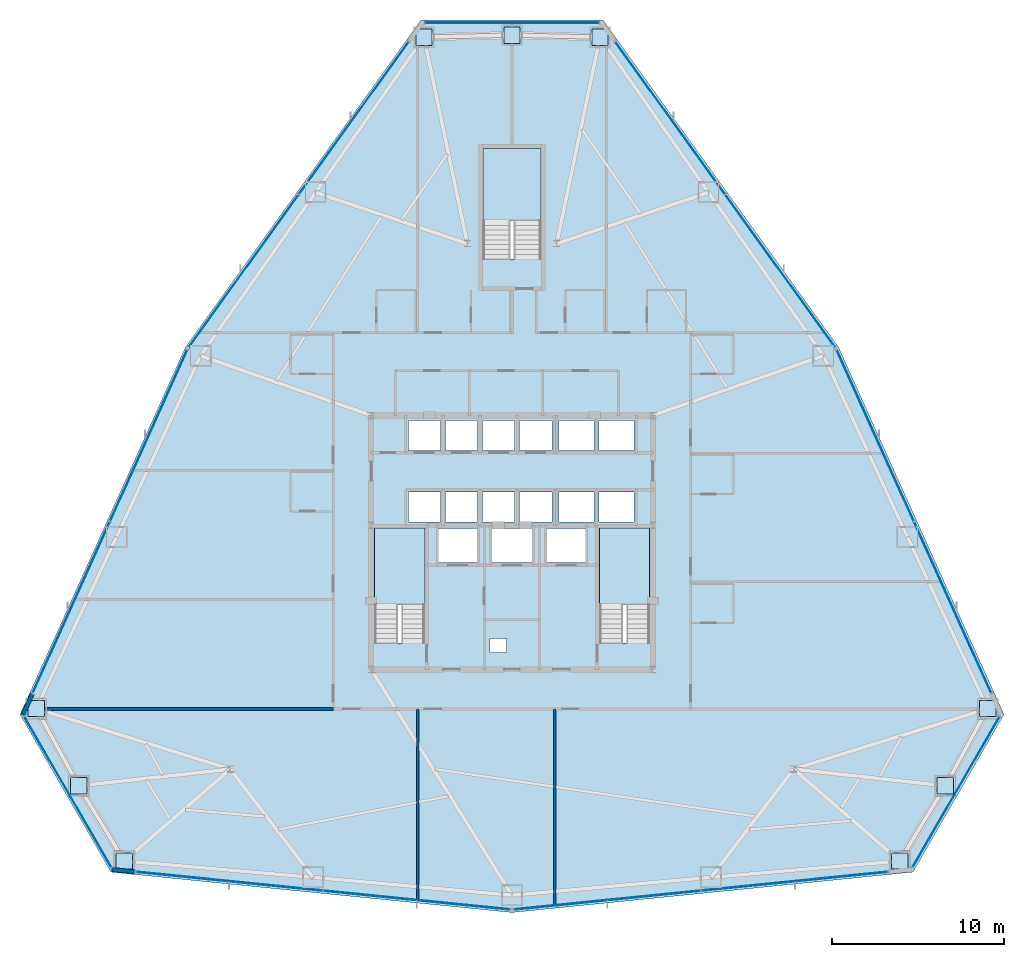
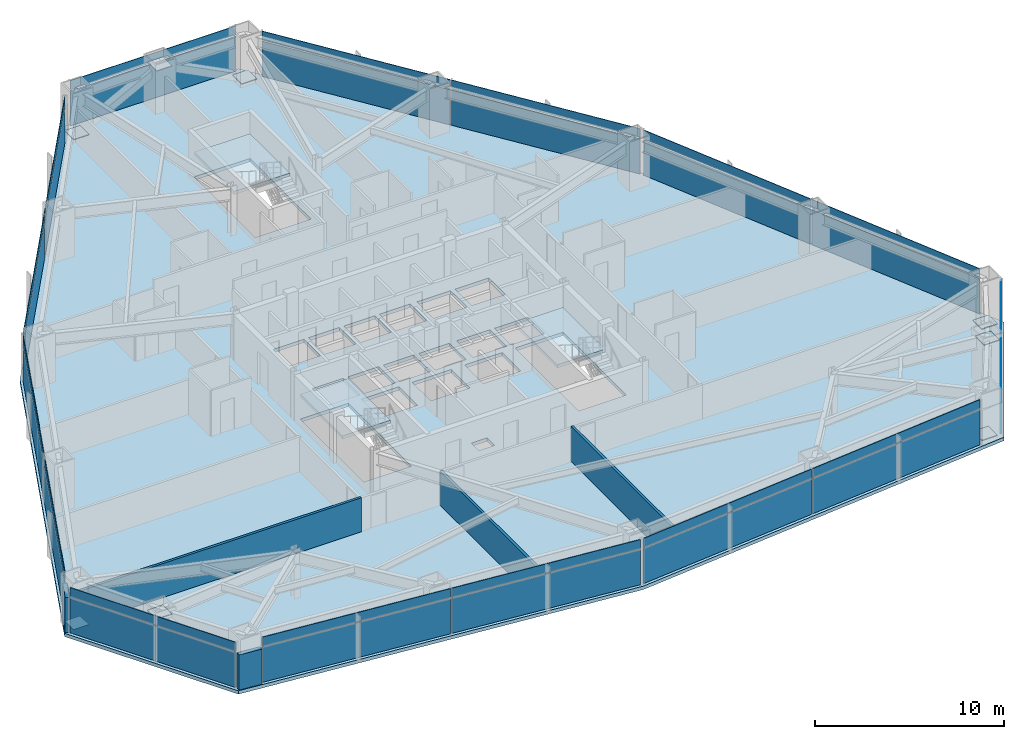
# One storey, part 8 of 12: 39 plates, 5 walls, 4 slabs, 12 elements without a shape of their own.
"""IFC4 building model written with IfcOpenShell, lengths in metres."""

from ifc_helpers import new_model, si_unit, direction, frame, frame_2d, origin, origin_2d, place, context, subcontext, project, spatial, polyline, rectangle, outline, extrude, source, transform, mapped, material, layer, layer_set, type_object, type_shapes, element, aggregate, save


model = new_model("IFC4")

# Units and contexts
model_context = context("Model", 3, precision=1e-05, world=origin(), true_north=direction((0.0, 1.0)))
body_context = subcontext(model_context, "Body", "Model", "MODEL_VIEW")
ifc_project = project(units=[si_unit("LENGTHUNIT", "METRE"), si_unit("AREAUNIT", "SQUARE_METRE"), si_unit("VOLUMEUNIT", "CUBIC_METRE"), si_unit("PLANEANGLEUNIT", "RADIAN"), si_unit("MASSUNIT", "GRAM", prefix="KILO")], contexts=[model_context])

# Site, building, storey
site_placement = place(None, origin())
site = spatial("IfcSite", under=ifc_project, at=site_placement, CompositionType="ELEMENT")
building_placement = place(site_placement, origin())
building = spatial("IfcBuilding", under=site, at=building_placement, Name="Varakhsha Concourse Tower", CompositionType="ELEMENT")
storey_placement = place(building_placement, frame((0.0, 0.0, 33.60009765625)))
storey = spatial("IfcBuildingStorey", under=building, at=storey_placement, Name="L08", CompositionType="ELEMENT", Elevation=33.60009765625)

# Slab
ifc_material_1 = material(Name="Concrete fc 45 MPa", Category="concrete")
ifc_layer_1 = layer(ifc_material_1, 0.219970703125, Name="SL-FLR-220")
ifc_layer_set_1 = layer_set([ifc_layer_1], Name="Concrete fc 45 MPa")
slab_type_1 = type_object("IfcSlabType", Name="SL-FLR-220", PredefinedType="FLOOR", material=ifc_layer_set_1)
slab_1_placement = place(storey_placement, frame((0.0, 0.0, -0.22021484375)))
element("IfcSlab", 1, at=slab_1_placement, inside=storey, type_object=slab_type_1, Name="L08 Composite Structural Slab", PredefinedType="FLOOR", context=body_context, shape_type="SweptSolid", body=[
    extrude(outline(polyline([(45.300048828125, 54.22021484375), (34.699951171875, 54.22021484375), (20.989013671875, 35.176025390625), (11.351806640625, 13.77978515625), (16.65185546875, 4.60009765625), (40.0, 2.248046875), (63.34814453125, 4.60009765625), (68.648193359375, 13.77978515625), (59.010986328125, 35.176025390625), (45.300048828125, 54.22021484375)]), holes=[polyline([(34.919921875, 17.93994140625), (34.919921875, 24.6298828125), (32.0, 24.6298828125), (32.0, 17.93994140625), (34.919921875, 17.93994140625)]), polyline([(48.02001953125, 17.93994140625), (48.02001953125, 24.6298828125), (45.10009765625, 24.6298828125), (45.10009765625, 17.93994140625), (48.02001953125, 17.93994140625)]), polyline([(41.699951171875, 40.300048828125), (41.699951171875, 46.75), (38.300048828125, 46.75), (38.300048828125, 40.300048828125), (41.699951171875, 40.300048828125)]), polyline([(33.9599609375, 29.159912109375), (35.840087890625, 29.159912109375), (35.840087890625, 30.89990234375), (33.9599609375, 30.89990234375), (33.9599609375, 29.159912109375)]), polyline([(36.1201171875, 29.159912109375), (38.0, 29.159912109375), (38.0, 30.89990234375), (36.1201171875, 30.89990234375), (36.1201171875, 29.159912109375)]), polyline([(38.280029296875, 29.159912109375), (40.159912109375, 29.159912109375), (40.159912109375, 30.89990234375), (38.280029296875, 30.89990234375), (38.280029296875, 29.159912109375)]), polyline([(40.43994140625, 29.159912109375), (42.320068359375, 29.159912109375), (42.320068359375, 30.89990234375), (40.43994140625, 30.89990234375), (40.43994140625, 29.159912109375)]), polyline([(33.9599609375, 25.0), (35.840087890625, 25.0), (35.840087890625, 26.739990234375), (33.9599609375, 26.739990234375), (33.9599609375, 25.0)]), polyline([(36.1201171875, 25.0), (38.0, 25.0), (38.0, 26.739990234375), (36.1201171875, 26.739990234375), (36.1201171875, 25.0)]), polyline([(38.280029296875, 25.0), (40.159912109375, 25.0), (40.159912109375, 26.739990234375), (38.280029296875, 26.739990234375), (38.280029296875, 25.0)]), polyline([(40.43994140625, 25.0), (42.320068359375, 25.0), (42.320068359375, 26.739990234375), (40.43994140625, 26.739990234375), (40.43994140625, 25.0)]), polyline([(42.739990234375, 29.159912109375), (44.780029296875, 29.159912109375), (44.780029296875, 30.89990234375), (42.739990234375, 30.89990234375), (42.739990234375, 29.159912109375)]), polyline([(45.06005859375, 29.159912109375), (47.10009765625, 29.159912109375), (47.10009765625, 30.89990234375), (45.06005859375, 30.89990234375), (45.06005859375, 29.159912109375)]), polyline([(42.739990234375, 25.0), (44.780029296875, 25.0), (44.780029296875, 26.739990234375), (42.739990234375, 26.739990234375), (42.739990234375, 25.0)]), polyline([(45.06005859375, 25.0), (47.10009765625, 25.0), (47.10009765625, 26.739990234375), (45.06005859375, 26.739990234375), (45.06005859375, 25.0)]), polyline([(35.7099609375, 22.639892578125), (37.989990234375, 22.639892578125), (37.989990234375, 24.60009765625), (35.7099609375, 24.60009765625), (35.7099609375, 22.639892578125)]), polyline([(42.010009765625, 22.639892578125), (44.2900390625, 22.639892578125), (44.2900390625, 24.60009765625), (42.010009765625, 24.60009765625), (42.010009765625, 22.639892578125)]), polyline([(38.81005859375, 22.639892578125), (41.18994140625, 22.639892578125), (41.18994140625, 24.60009765625), (38.81005859375, 24.60009765625), (38.81005859375, 22.639892578125)]), polyline([(38.719970703125, 17.39990234375), (39.679931640625, 17.39990234375), (39.679931640625, 18.199951171875), (38.719970703125, 18.199951171875), (38.719970703125, 17.39990234375)])]), origin(), (0.0, 0.0, 1.0), 0.22021484375),
])

# Stair, slab
stair_type_1 = type_object("IfcStairType", Name="ST-DOGLEG-1360", PredefinedType="HALF_TURN_STAIR", material=ifc_material_1)
stair_1_placement = place(storey_placement, origin())
stair_1 = element("IfcStair", 2, at=stair_1_placement, inside=storey, type_object=stair_type_1, Name="L08 Protected Exit Stair ST1", PredefinedType="HALF_TURN_STAIR")
ifc_layer_2 = layer(ifc_material_1, 0.199951171875, Name="SL-LAND-200")
ifc_layer_set_2 = layer_set([ifc_layer_2], Name="Concrete fc 45 MPa")
slab_type_2 = type_object("IfcSlabType", Name="SL-LAND-200", PredefinedType="LANDING", material=ifc_layer_set_2)
slab_2_placement = place(storey_placement, frame((0.0, 0.0, 1.39990234375)))
slab_2 = element("IfcSlab", 3, at=slab_2_placement, type_object=slab_type_2, Name="ST1 landing 1", PredefinedType="LANDING", context=body_context, shape_type="SweptSolid", body=[
    extrude(outline(polyline([(34.919921875, 20.179931640625), (34.919921875, 24.6298828125), (32.0, 24.6298828125), (32.0, 20.179931640625), (34.919921875, 20.179931640625)])), origin(), (0.0, 0.0, 1.0), 0.199951171875),
])
aggregate(stair_1, [slab_2])

stair_2_placement = place(storey_placement, origin())
stair_2 = element("IfcStair", 4, at=stair_2_placement, inside=storey, type_object=stair_type_1, Name="L08 Protected Exit Stair ST2", PredefinedType="HALF_TURN_STAIR")
slab_3_placement = place(storey_placement, frame((0.0, 0.0, 1.39990234375)))
slab_3 = element("IfcSlab", 5, at=slab_3_placement, type_object=slab_type_2, Name="ST2 landing 1", PredefinedType="LANDING", context=body_context, shape_type="SweptSolid", body=[
    extrude(outline(polyline([(48.02001953125, 20.179931640625), (48.02001953125, 24.6298828125), (45.10009765625, 24.6298828125), (45.10009765625, 20.179931640625), (48.02001953125, 20.179931640625)])), origin(), (0.0, 0.0, 1.0), 0.199951171875),
])
aggregate(stair_2, [slab_3])

stair_type_2 = type_object("IfcStairType", Name="ST-DOGLEG-1600", PredefinedType="HALF_TURN_STAIR", material=ifc_material_1)
stair_3_placement = place(storey_placement, origin())
stair_3 = element("IfcStair", 6, at=stair_3_placement, inside=storey, type_object=stair_type_2, Name="L08 Protected Exit Stair ST5", PredefinedType="HALF_TURN_STAIR")
slab_4_placement = place(storey_placement, frame((0.0, 0.0, 1.39990234375)))
slab_4 = element("IfcSlab", 7, at=slab_4_placement, type_object=slab_type_2, Name="ST5 landing 1", PredefinedType="LANDING", context=body_context, shape_type="SweptSolid", body=[
    extrude(outline(polyline([(41.699951171875, 42.5400390625), (41.699951171875, 46.75), (38.300048828125, 46.75), (38.300048828125, 42.5400390625), (41.699951171875, 42.5400390625)])), origin(), (0.0, 0.0, 1.0), 0.199951171875),
])
aggregate(stair_3, [slab_4])

# Plates
ifc_material_2 = material(Name="Structural Steel ASTM A572 Grade 50", Category="steel")
ifc_layer_3 = layer(ifc_material_2, 0.030029296875, Name="PL-ENDCAP-950")
ifc_layer_set_3 = layer_set([ifc_layer_3], Name="Structural Steel ASTM A572 Grade 50")
plate_type_1 = type_object("IfcPlateType", Name="PL-ENDCAP-950", PredefinedType="USERDEFINED", material=ifc_layer_set_3)
shared_shape_1 = source(origin(), body_context, "Body", "SweptSolid", [
    extrude(rectangle(XDim=0.949951171875, YDim=0.949951171875, at=origin_2d()), origin(), (0.0, 0.0, 1.0), 0.030029296875),
])
type_shapes(plate_type_1, [shared_shape_1])
for number, where, z_axis, x_axis, name in (
    (8, (45.1240234375, 53.223388671875, 0.10498046875), (0.0, 0.0, 1.0), (1.0, 0.0, 0.0), "Hollow Section End Cap GP-NODE-L08-0031"),
    (9, (40.0, 53.340087890625, 2.6650390625), (0.0, 0.0, 1.0), (1.0, 0.0, 0.0), "Hollow Section End Cap GP-NODE-L08-0032"),
    (10, (34.8759765625, 53.223388671875, 0.10498046875), (0.0, 0.0, 1.0), (1.0, 0.0, 0.0), "Hollow Section End Cap GP-NODE-L08-0033"),
    (11, (12.302734375, 14.125732421875, 0.10498046875), (0.0, 0.0, 1.0), (1.0, 0.0, 0.0), "Hollow Section End Cap GP-NODE-L08-0034"),
    (12, (14.763916015625, 9.6298828125, 2.6650390625), (0.0, 0.0, 1.0), (1.0, 0.0, 0.0), "Hollow Section End Cap GP-NODE-L08-0035"),
    (13, (17.427001953125, 5.250732421875, 0.10498046875), (0.0, 0.0, 1.0), (1.0, 0.0, 0.0), "Hollow Section End Cap GP-NODE-L08-0036"),
    (14, (62.572998046875, 5.250732421875, 0.10498046875), (0.0, 0.0, 1.0), (1.0, 0.0, 0.0), "Hollow Section End Cap GP-NODE-L08-0037"),
    (15, (65.236083984375, 9.6298828125, 2.6650390625), (0.0, 0.0, 1.0), (1.0, 0.0, 0.0), "Hollow Section End Cap GP-NODE-L08-0038"),
    (16, (67.697265625, 14.125732421875, 0.10498046875), (0.0, 0.0, 1.0), (1.0, 0.0, 0.0), "Hollow Section End Cap GP-NODE-L08-0039"),
):
    element("IfcPlate", number, at=place(storey_placement, frame(where, z_axis=z_axis, x_axis=x_axis)), inside=storey, type_object=plate_type_1, Name=name, ObjectType="END PLATE", PredefinedType="USERDEFINED", context=body_context, shape_type="MappedRepresentation", body=[
        mapped(shared_shape_1, transform((0.0, 0.0, 0.0), scale=1.0)),
    ])

# Curtain wall, plate
ifc_material_3 = material(Name="Anodised Bronze Architectural Aluminium AA 6063-T6", Category="aluminium")
ifc_layer_4 = layer(ifc_material_3, 0.219970703125, Name="CW-SYS-02")
ifc_layer_set_4 = layer_set([ifc_layer_4], Name="Anodised Bronze Architectural Aluminium AA 6063-T6")
curtain_wall_type = type_object("IfcCurtainWallType", Name="CW-SYS-02", PredefinedType="NOTDEFINED", material=ifc_layer_set_4)
curtain_wall_1_placement = place(storey_placement, origin())
curtain_wall_1 = element("IfcCurtainWall", 17, at=curtain_wall_1_placement, inside=storey, type_object=curtain_wall_type, Name="L08 Chamfer Curtain Wall F1", PredefinedType="NOTDEFINED")
ifc_material_4 = material(Name="Insulated Anodised Bronze Aluminium Spandrel 36 mm", Category="aluminium")
ifc_layer_5 = layer(ifc_material_4, 0.035888671875, Name="CWP-SPN-36")
ifc_layer_set_5 = layer_set([ifc_layer_5], Name="Insulated Anodised Bronze Aluminium Spandrel 36 mm")
plate_type_2 = type_object("IfcPlateType", Name="CWP-SPN-36", PredefinedType="USERDEFINED", material=ifc_layer_set_5)
shared_shape_2 = source(origin(), body_context, "Body", "SweptSolid", [
    extrude(rectangle(XDim=10.0810546875, YDim=0.035888671875, at=origin_2d()), origin(), (0.0, 0.0, 1.0), 2.260986328125),
])
type_shapes(plate_type_2, [shared_shape_2])
plate_1_placement = place(storey_placement, frame((40.0, 54.06005859375, 0.0341796875), z_axis=(0.0, 0.0, 1.0), x_axis=(1.0, 0.0, 0.0)))
plate_1 = element("IfcPlate", 18, at=plate_1_placement, type_object=plate_type_2, Name="CW-L08-F1 Panel 00-00", ObjectType="SPANDREL", PredefinedType="USERDEFINED", context=body_context, shape_type="MappedRepresentation", body=[
    mapped(shared_shape_2, transform((0.0, 0.0, 0.0), scale=1.0)),
])

curtain_wall_2_placement = place(storey_placement, origin())
curtain_wall_2 = element("IfcCurtainWall", 19, at=curtain_wall_2_placement, inside=storey, type_object=curtain_wall_type, Name="L08 Chamfer Curtain Wall F4", PredefinedType="NOTDEFINED")
plate_2_placement = place(storey_placement, frame((14.140380859375, 9.27001953125, 0.0341796875), z_axis=(0.0, 0.0, 1.0), x_axis=(-0.499996976998, 0.866027149108, 0.0)))
plate_2 = element("IfcPlate", 20, at=plate_2_placement, type_object=plate_type_2, Name="CW-L08-F4 Panel 00-00", ObjectType="SPANDREL", PredefinedType="USERDEFINED", context=body_context, shape_type="MappedRepresentation", body=[
    mapped(shared_shape_2, transform((0.0, 0.0, 0.0), scale=1.0)),
])

curtain_wall_3_placement = place(storey_placement, origin())
curtain_wall_3 = element("IfcCurtainWall", 21, at=curtain_wall_3_placement, inside=storey, type_object=curtain_wall_type, Name="L08 Chamfer Curtain Wall F7", PredefinedType="NOTDEFINED")
plate_3_placement = place(storey_placement, frame((65.859619140625, 9.27001953125, 0.0341796875), z_axis=(0.0, 0.0, 1.0), x_axis=(-0.499996976998, -0.866027149108, 0.0)))
plate_3 = element("IfcPlate", 22, at=plate_3_placement, type_object=plate_type_2, Name="CW-L08-F7 Panel 00-00", ObjectType="SPANDREL", PredefinedType="USERDEFINED", context=body_context, shape_type="MappedRepresentation", body=[
    mapped(shared_shape_2, transform((0.0, 0.0, 0.0), scale=1.0)),
])

# Plate
ifc_material_5 = material(Name="Glazed Turquoise-Bronze Ceramic Spandrel Panel 38 mm", Category="ceramic")
ifc_layer_6 = layer(ifc_material_5, 0.0380859375, Name="CWP-SPN-38")
ifc_layer_set_6 = layer_set([ifc_layer_6], Name="Glazed Turquoise-Bronze Ceramic Spandrel Panel 38 mm")
plate_type_3 = type_object("IfcPlateType", Name="CWP-SPN-38", PredefinedType="USERDEFINED", material=ifc_layer_set_6)
shared_shape_3 = source(origin(), body_context, "Body", "SweptSolid", [
    extrude(rectangle(XDim=10.0810546875, YDim=0.0380859375, at=origin_2d()), origin(), (0.0, 0.0, 1.0), 0.5810546875),
])
plate_4_placement = place(storey_placement, frame((40.0, 54.06005859375, 2.3642578125), z_axis=(0.0, 0.0, 1.0), x_axis=(1.0, 0.0, 0.0)))
plate_4 = element("IfcPlate", 23, at=plate_4_placement, type_object=plate_type_3, Name="CW-L08-F1 Panel 00-01", ObjectType="SPANDREL", PredefinedType="USERDEFINED", context=body_context, shape_type="MappedRepresentation", body=[
    mapped(shared_shape_3, transform((0.0, 0.0, 0.0), scale=1.0)),
])

aggregate(curtain_wall_1, [plate_1, plate_4])

plate_5_placement = place(storey_placement, frame((14.140380859375, 9.27001953125, 2.3642578125), z_axis=(0.0, 0.0, 1.0), x_axis=(-0.499996976998, 0.866027149108, 0.0)))
plate_5 = element("IfcPlate", 24, at=plate_5_placement, type_object=plate_type_3, Name="CW-L08-F4 Panel 00-01", ObjectType="SPANDREL", PredefinedType="USERDEFINED", context=body_context, shape_type="MappedRepresentation", body=[
    mapped(shared_shape_3, transform((0.0, 0.0, 0.0), scale=1.0)),
])

aggregate(curtain_wall_2, [plate_2, plate_5])

plate_6_placement = place(storey_placement, frame((65.859619140625, 9.27001953125, 2.3642578125), z_axis=(0.0, 0.0, 1.0), x_axis=(-0.499996976998, -0.866027149108, 0.0)))
plate_6 = element("IfcPlate", 25, at=plate_6_placement, type_object=plate_type_3, Name="CW-L08-F7 Panel 00-01", ObjectType="SPANDREL", PredefinedType="USERDEFINED", context=body_context, shape_type="MappedRepresentation", body=[
    mapped(shared_shape_3, transform((0.0, 0.0, 0.0), scale=1.0)),
])

aggregate(curtain_wall_3, [plate_3, plate_6])

# Curtain wall, plates
curtain_wall_4_placement = place(storey_placement, origin())
curtain_wall_4 = element("IfcCurtainWall", 26, at=curtain_wall_4_placement, inside=storey, type_object=curtain_wall_type, Name="L08 Crystal Curtain Wall F2", PredefinedType="NOTDEFINED")
ifc_material_6 = material(Name="Low-E Triple Insulating Glass IGU 44 mm", Category="glass")
ifc_layer_7 = layer(ifc_material_6, 0.0439453125, Name="CWP-IGU-44")
ifc_layer_set_7 = layer_set([ifc_layer_7], Name="Low-E Triple Insulating Glass IGU 44 mm")
plate_type_4 = type_object("IfcPlateType", Name="CWP-IGU-44", PredefinedType="CURTAIN_PANEL", material=ifc_layer_set_7)
shared_shape_4 = source(origin(), body_context, "Body", "SweptSolid", [
    extrude(rectangle(XDim=10.904296875, YDim=0.0439453125, at=origin_2d()), origin(), (0.0, 0.0, 1.0), 2.260986328125),
])
plate_7_placement = place(storey_placement, frame((24.374267578125, 39.60400390625, 0.0341796875), z_axis=(0.0, 0.0, 1.0), x_axis=(0.584283660256, 0.81154950826, 0.0)))
plate_7 = element("IfcPlate", 27, at=plate_7_placement, type_object=plate_type_4, Name="CW-L08-F2 Panel 00-00", PredefinedType="CURTAIN_PANEL", context=body_context, shape_type="MappedRepresentation", body=[
    mapped(shared_shape_4, transform((0.0, 0.0, 0.0), scale=1.0)),
])
plate_8_placement = place(storey_placement, frame((30.79150390625, 48.517578125, 0.0341796875), z_axis=(0.0, 0.0, 1.0), x_axis=(0.584283660256, 0.81154950826, 0.0)))
plate_8 = element("IfcPlate", 28, at=plate_8_placement, type_object=plate_type_4, Name="CW-L08-F2 Panel 01-00", PredefinedType="CURTAIN_PANEL", context=body_context, shape_type="MappedRepresentation", body=[
    mapped(shared_shape_4, transform((0.0, 0.0, 0.0), scale=1.0)),
])

# Curtain wall, plate
curtain_wall_5_placement = place(storey_placement, origin())
curtain_wall_5 = element("IfcCurtainWall", 29, at=curtain_wall_5_placement, inside=storey, type_object=curtain_wall_type, Name="L08 Crystal Curtain Wall F3", PredefinedType="NOTDEFINED")
plate_9_placement = place(storey_placement, frame((14.336181640625, 20.01611328125, 0.0341796875), z_axis=(0.0, 0.0, 1.0), x_axis=(0.410683843161, 0.911777813377, 0.0)))
plate_9 = element("IfcPlate", 30, at=plate_9_placement, type_object=plate_type_4, Name="CW-L08-F3 Panel 00-00", PredefinedType="CURTAIN_PANEL", context=body_context, shape_type="MappedRepresentation", body=[
    mapped(shared_shape_4, transform((0.0, 0.0, 0.0), scale=1.0)),
])

curtain_wall_6_placement = place(storey_placement, origin())
curtain_wall_6 = element("IfcCurtainWall", 31, at=curtain_wall_6_placement, inside=storey, type_object=curtain_wall_type, Name="L08 Crystal Curtain Wall F5", PredefinedType="NOTDEFINED")
plate_10_placement = place(storey_placement, frame((34.472412109375, 2.965576171875, 0.0341796875), z_axis=(0.0, 0.0, 1.0), x_axis=(-0.994964670572, 0.100226265587, 0.0)))
plate_10 = element("IfcPlate", 32, at=plate_10_placement, type_object=plate_type_4, Name="CW-L08-F5 Panel 00-00", PredefinedType="CURTAIN_PANEL", context=body_context, shape_type="MappedRepresentation", body=[
    mapped(shared_shape_4, transform((0.0, 0.0, 0.0), scale=1.0)),
])

curtain_wall_7_placement = place(storey_placement, origin())
curtain_wall_7 = element("IfcCurtainWall", 33, at=curtain_wall_7_placement, inside=storey, type_object=curtain_wall_type, Name="L08 Crystal Curtain Wall F6", PredefinedType="NOTDEFINED")
plate_11_placement = place(storey_placement, frame((56.455322265625, 4.06640625, 0.0341796875), z_axis=(0.0, 0.0, 1.0), x_axis=(-0.994964670572, -0.100226265587, 0.0)))
plate_11 = element("IfcPlate", 34, at=plate_11_placement, type_object=plate_type_4, Name="CW-L08-F6 Panel 00-00", PredefinedType="CURTAIN_PANEL", context=body_context, shape_type="MappedRepresentation", body=[
    mapped(shared_shape_4, transform((0.0, 0.0, 0.0), scale=1.0)),
])

curtain_wall_8_placement = place(storey_placement, origin())
curtain_wall_8 = element("IfcCurtainWall", 35, at=curtain_wall_8_placement, inside=storey, type_object=curtain_wall_type, Name="L08 Crystal Curtain Wall F8", PredefinedType="NOTDEFINED")
plate_12_placement = place(storey_placement, frame((61.1533203125, 30.0302734375, 0.0341796875), z_axis=(0.0, 0.0, 1.0), x_axis=(0.410683843161, -0.911777813377, 0.0)))
plate_12 = element("IfcPlate", 36, at=plate_12_placement, type_object=plate_type_4, Name="CW-L08-F8 Panel 00-00", PredefinedType="CURTAIN_PANEL", context=body_context, shape_type="MappedRepresentation", body=[
    mapped(shared_shape_4, transform((0.0, 0.0, 0.0), scale=1.0)),
])

# Curtain wall, plates
curtain_wall_9_placement = place(storey_placement, origin())
curtain_wall_9 = element("IfcCurtainWall", 37, at=curtain_wall_9_placement, inside=storey, type_object=curtain_wall_type, Name="L08 Crystal Curtain Wall F9", PredefinedType="NOTDEFINED")
plate_13_placement = place(storey_placement, frame((49.20849609375, 48.517578125, 0.0341796875), z_axis=(0.0, 0.0, 1.0), x_axis=(0.584283660256, -0.81154950826, 0.0)))
plate_13 = element("IfcPlate", 38, at=plate_13_placement, type_object=plate_type_4, Name="CW-L08-F9 Panel 00-00", PredefinedType="CURTAIN_PANEL", context=body_context, shape_type="MappedRepresentation", body=[
    mapped(shared_shape_4, transform((0.0, 0.0, 0.0), scale=1.0)),
])
plate_14_placement = place(storey_placement, frame((55.625732421875, 39.60400390625, 0.0341796875), z_axis=(0.0, 0.0, 1.0), x_axis=(0.584283660256, -0.81154950826, 0.0)))
plate_14 = element("IfcPlate", 39, at=plate_14_placement, type_object=plate_type_4, Name="CW-L08-F9 Panel 01-00", PredefinedType="CURTAIN_PANEL", context=body_context, shape_type="MappedRepresentation", body=[
    mapped(shared_shape_4, transform((0.0, 0.0, 0.0), scale=1.0)),
])

# Plate
shared_shape_5 = source(origin(), body_context, "Body", "SweptSolid", [
    extrude(rectangle(XDim=10.904296875, YDim=0.0380859375, at=origin_2d()), origin(), (0.0, 0.0, 1.0), 0.5810546875),
])
plate_15_placement = place(storey_placement, frame((24.374267578125, 39.60400390625, 2.3642578125), z_axis=(0.0, 0.0, 1.0), x_axis=(0.584283660256, 0.81154950826, 0.0)))
plate_15 = element("IfcPlate", 40, at=plate_15_placement, type_object=plate_type_3, Name="CW-L08-F2 Panel 00-01", ObjectType="SPANDREL", PredefinedType="USERDEFINED", context=body_context, shape_type="MappedRepresentation", body=[
    mapped(shared_shape_5, transform((0.0, 0.0, 0.0), scale=1.0)),
])

plate_16_placement = place(storey_placement, frame((30.79150390625, 48.517578125, 2.3642578125), z_axis=(0.0, 0.0, 1.0), x_axis=(0.584283660256, 0.81154950826, 0.0)))
plate_16 = element("IfcPlate", 41, at=plate_16_placement, type_object=plate_type_3, Name="CW-L08-F2 Panel 01-01", ObjectType="SPANDREL", PredefinedType="USERDEFINED", context=body_context, shape_type="MappedRepresentation", body=[
    mapped(shared_shape_5, transform((0.0, 0.0, 0.0), scale=1.0)),
])

aggregate(curtain_wall_4, [plate_7, plate_15, plate_8, plate_16])

plate_17_placement = place(storey_placement, frame((14.336181640625, 20.01611328125, 2.3642578125), z_axis=(0.0, 0.0, 1.0), x_axis=(0.410683843161, 0.911777813377, 0.0)))
plate_17 = element("IfcPlate", 42, at=plate_17_placement, type_object=plate_type_3, Name="CW-L08-F3 Panel 00-01", ObjectType="SPANDREL", PredefinedType="USERDEFINED", context=body_context, shape_type="MappedRepresentation", body=[
    mapped(shared_shape_5, transform((0.0, 0.0, 0.0), scale=1.0)),
])

plate_18_placement = place(storey_placement, frame((34.472412109375, 2.965576171875, 2.3642578125), z_axis=(0.0, 0.0, 1.0), x_axis=(-0.994964670572, 0.100226265587, 0.0)))
plate_18 = element("IfcPlate", 43, at=plate_18_placement, type_object=plate_type_3, Name="CW-L08-F5 Panel 00-01", ObjectType="SPANDREL", PredefinedType="USERDEFINED", context=body_context, shape_type="MappedRepresentation", body=[
    mapped(shared_shape_5, transform((0.0, 0.0, 0.0), scale=1.0)),
])

plate_19_placement = place(storey_placement, frame((56.455322265625, 4.06640625, 2.3642578125), z_axis=(0.0, 0.0, 1.0), x_axis=(-0.994964670572, -0.100226265587, 0.0)))
plate_19 = element("IfcPlate", 44, at=plate_19_placement, type_object=plate_type_3, Name="CW-L08-F6 Panel 00-01", ObjectType="SPANDREL", PredefinedType="USERDEFINED", context=body_context, shape_type="MappedRepresentation", body=[
    mapped(shared_shape_5, transform((0.0, 0.0, 0.0), scale=1.0)),
])

plate_20_placement = place(storey_placement, frame((61.1533203125, 30.0302734375, 2.3642578125), z_axis=(0.0, 0.0, 1.0), x_axis=(0.410683843161, -0.911777813377, 0.0)))
plate_20 = element("IfcPlate", 45, at=plate_20_placement, type_object=plate_type_3, Name="CW-L08-F8 Panel 00-01", ObjectType="SPANDREL", PredefinedType="USERDEFINED", context=body_context, shape_type="MappedRepresentation", body=[
    mapped(shared_shape_5, transform((0.0, 0.0, 0.0), scale=1.0)),
])

plate_21_placement = place(storey_placement, frame((49.20849609375, 48.517578125, 2.3642578125), z_axis=(0.0, 0.0, 1.0), x_axis=(0.584283660256, -0.81154950826, 0.0)))
plate_21 = element("IfcPlate", 46, at=plate_21_placement, type_object=plate_type_3, Name="CW-L08-F9 Panel 00-01", ObjectType="SPANDREL", PredefinedType="USERDEFINED", context=body_context, shape_type="MappedRepresentation", body=[
    mapped(shared_shape_5, transform((0.0, 0.0, 0.0), scale=1.0)),
])

plate_22_placement = place(storey_placement, frame((55.625732421875, 39.60400390625, 2.3642578125), z_axis=(0.0, 0.0, 1.0), x_axis=(0.584283660256, -0.81154950826, 0.0)))
plate_22 = element("IfcPlate", 47, at=plate_22_placement, type_object=plate_type_3, Name="CW-L08-F9 Panel 01-01", ObjectType="SPANDREL", PredefinedType="USERDEFINED", context=body_context, shape_type="MappedRepresentation", body=[
    mapped(shared_shape_5, transform((0.0, 0.0, 0.0), scale=1.0)),
])

aggregate(curtain_wall_9, [plate_13, plate_21, plate_14, plate_22])

shared_shape_6 = source(origin(), body_context, "Body", "SweptSolid", [
    extrude(rectangle(XDim=10.904052734375, YDim=0.0439453125, at=origin_2d()), origin(), (0.0, 0.0, 1.0), 2.260986328125),
])
type_shapes(plate_type_4, [shared_shape_4, shared_shape_6])
plate_23_placement = place(storey_placement, frame((18.8466796875, 30.0302734375, 0.0341796875), z_axis=(0.0, 0.0, 1.0), x_axis=(0.410683843161, 0.911777813377, 0.0)))
plate_23 = element("IfcPlate", 48, at=plate_23_placement, type_object=plate_type_4, Name="CW-L08-F3 Panel 01-00", PredefinedType="CURTAIN_PANEL", context=body_context, shape_type="MappedRepresentation", body=[
    mapped(shared_shape_6, transform((0.0, 0.0, 0.0), scale=1.0)),
])

plate_24_placement = place(storey_placement, frame((23.544677734375, 4.06640625, 0.0341796875), z_axis=(0.0, 0.0, 1.0), x_axis=(-0.994964670572, 0.100226265587, 0.0)))
plate_24 = element("IfcPlate", 49, at=plate_24_placement, type_object=plate_type_4, Name="CW-L08-F5 Panel 01-00", PredefinedType="CURTAIN_PANEL", context=body_context, shape_type="MappedRepresentation", body=[
    mapped(shared_shape_6, transform((0.0, 0.0, 0.0), scale=1.0)),
])

plate_25_placement = place(storey_placement, frame((45.527587890625, 2.965576171875, 0.0341796875), z_axis=(0.0, 0.0, 1.0), x_axis=(-0.994964670572, -0.100226265587, 0.0)))
plate_25 = element("IfcPlate", 50, at=plate_25_placement, type_object=plate_type_4, Name="CW-L08-F6 Panel 01-00", PredefinedType="CURTAIN_PANEL", context=body_context, shape_type="MappedRepresentation", body=[
    mapped(shared_shape_6, transform((0.0, 0.0, 0.0), scale=1.0)),
])

plate_26_placement = place(storey_placement, frame((65.663818359375, 20.01611328125, 0.0341796875), z_axis=(0.0, 0.0, 1.0), x_axis=(0.410683843161, -0.911777813377, 0.0)))
plate_26 = element("IfcPlate", 51, at=plate_26_placement, type_object=plate_type_4, Name="CW-L08-F8 Panel 01-00", PredefinedType="CURTAIN_PANEL", context=body_context, shape_type="MappedRepresentation", body=[
    mapped(shared_shape_6, transform((0.0, 0.0, 0.0), scale=1.0)),
])

shared_shape_7 = source(origin(), body_context, "Body", "SweptSolid", [
    extrude(rectangle(XDim=10.904052734375, YDim=0.0380859375, at=origin_2d()), origin(), (0.0, 0.0, 1.0), 0.5810546875),
])
type_shapes(plate_type_3, [shared_shape_3, shared_shape_5, shared_shape_7])
plate_27_placement = place(storey_placement, frame((18.8466796875, 30.0302734375, 2.3642578125), z_axis=(0.0, 0.0, 1.0), x_axis=(0.410683843161, 0.911777813377, 0.0)))
plate_27 = element("IfcPlate", 52, at=plate_27_placement, type_object=plate_type_3, Name="CW-L08-F3 Panel 01-01", ObjectType="SPANDREL", PredefinedType="USERDEFINED", context=body_context, shape_type="MappedRepresentation", body=[
    mapped(shared_shape_7, transform((0.0, 0.0, 0.0), scale=1.0)),
])

aggregate(curtain_wall_5, [plate_9, plate_17, plate_23, plate_27])

plate_28_placement = place(storey_placement, frame((23.544677734375, 4.06640625, 2.3642578125), z_axis=(0.0, 0.0, 1.0), x_axis=(-0.994964670572, 0.100226265587, 0.0)))
plate_28 = element("IfcPlate", 53, at=plate_28_placement, type_object=plate_type_3, Name="CW-L08-F5 Panel 01-01", ObjectType="SPANDREL", PredefinedType="USERDEFINED", context=body_context, shape_type="MappedRepresentation", body=[
    mapped(shared_shape_7, transform((0.0, 0.0, 0.0), scale=1.0)),
])

aggregate(curtain_wall_6, [plate_10, plate_18, plate_24, plate_28])

plate_29_placement = place(storey_placement, frame((45.527587890625, 2.965576171875, 2.3642578125), z_axis=(0.0, 0.0, 1.0), x_axis=(-0.994964670572, -0.100226265587, 0.0)))
plate_29 = element("IfcPlate", 54, at=plate_29_placement, type_object=plate_type_3, Name="CW-L08-F6 Panel 01-01", ObjectType="SPANDREL", PredefinedType="USERDEFINED", context=body_context, shape_type="MappedRepresentation", body=[
    mapped(shared_shape_7, transform((0.0, 0.0, 0.0), scale=1.0)),
])

aggregate(curtain_wall_7, [plate_11, plate_19, plate_25, plate_29])

plate_30_placement = place(storey_placement, frame((65.663818359375, 20.01611328125, 2.3642578125), z_axis=(0.0, 0.0, 1.0), x_axis=(0.410683843161, -0.911777813377, 0.0)))
plate_30 = element("IfcPlate", 55, at=plate_30_placement, type_object=plate_type_3, Name="CW-L08-F8 Panel 01-01", ObjectType="SPANDREL", PredefinedType="USERDEFINED", context=body_context, shape_type="MappedRepresentation", body=[
    mapped(shared_shape_7, transform((0.0, 0.0, 0.0), scale=1.0)),
])

aggregate(curtain_wall_8, [plate_12, plate_20, plate_26, plate_30])

# Walls
ifc_layer_8 = layer(ifc_material_1, 0.239990234375, Name="WL-EXT-CRN-240")
ifc_layer_set_8 = layer_set([ifc_layer_8], Name="Concrete fc 45 MPa")
wall_type_1 = type_object("IfcWallType", Name="WL-EXT-CRN-240", PredefinedType="SHEAR", material=ifc_layer_set_8)
wall_1_placement = place(storey_placement, frame((12.0654296875, 14.974609375, 0.0), z_axis=(0.0, 0.0, 1.0), x_axis=(-0.410767856127, -0.91173996752, 0.0)))
element("IfcWall", 56, at=wall_1_placement, inside=storey, type_object=wall_type_1, Name="L08 Wind-Corner Shoulder Wall F3", PredefinedType="SHEAR", context=body_context, shape_type="SweptSolid", body=[
    extrude(rectangle(XDim=1.334228515625, YDim=0.239990234375, at=frame_2d((0.6669921875, 0.0))), origin(), (0.0, 0.0, 1.0), 2.262939453125),
])
wall_2_placement = place(storey_placement, frame((16.715576171875, 4.75439453125, 0.0), z_axis=(0.0, 0.0, 1.0), x_axis=(0.994962653924, -0.100246283205, 0.0)))
element("IfcWall", 57, at=wall_2_placement, inside=storey, type_object=wall_type_1, Name="L08 Wind-Corner Shoulder Wall F5", PredefinedType="SHEAR", context=body_context, shape_type="SweptSolid", body=[
    extrude(rectangle(XDim=1.334716796875, YDim=0.239990234375, at=frame_2d((0.66748046875, 0.0))), origin(), (0.0, 0.0, 1.0), 2.262939453125),
])
ifc_material_7 = material(Name="Fire-Rated Type X Gypsum Partition Assembly", Category="gypsum")
ifc_layer_9 = layer(ifc_material_7, 0.14990234375, Name="WL-PART-150")
ifc_layer_set_9 = layer_set([ifc_layer_9], Name="Fire-Rated Type X Gypsum Partition Assembly")
wall_type_2 = type_object("IfcWallType", Name="WL-PART-150", PredefinedType="PARTITIONING", material=ifc_layer_set_9)
wall_3_placement = place(storey_placement, frame((34.5, 2.968017578125, 0.0), z_axis=(0.0, 0.0, 1.0), x_axis=(0.0, 1.0, 0.0)))
element("IfcWall", 58, at=wall_3_placement, inside=storey, type_object=wall_type_2, Name="L08 Wall HDIV-S1-L08", PredefinedType="PARTITIONING", context=body_context, shape_type="SweptSolid", body=[
    extrude(rectangle(XDim=11.132080078125, YDim=0.14990234375, at=frame_2d((5.56591796875, 0.0))), origin(), (0.0, 0.0, 1.0), 2.19091796875),
])
wall_4_placement = place(storey_placement, frame((42.5, 2.665771484375, 0.0), z_axis=(0.0, 0.0, 1.0), x_axis=(0.0, 1.0, 0.0)))
element("IfcWall", 59, at=wall_4_placement, inside=storey, type_object=wall_type_2, Name="L08 Wall HDIV-S2-L08", PredefinedType="PARTITIONING", context=body_context, shape_type="SweptSolid", body=[
    extrude(rectangle(XDim=11.434326171875, YDim=0.14990234375, at=frame_2d((5.71728515625, 0.0))), origin(), (0.0, 0.0, 1.0), 2.267822265625),
])
wall_5_placement = place(storey_placement, frame((11.677001953125, 14.10009765625, 0.0), z_axis=(0.0, 0.0, 1.0), x_axis=(1.0, 0.0, 0.0)))
element("IfcWall", 60, at=wall_5_placement, inside=storey, type_object=wall_type_2, Name="L08 Wall HDIV-WB0-L08", PredefinedType="PARTITIONING", context=body_context, shape_type="SweptSolid", body=[
    extrude(rectangle(XDim=17.923095703125, YDim=0.14990234375, at=frame_2d((8.96142578125, 0.0))), origin(), (0.0, 0.0, 1.0), 2.19091796875),
])

save(model, "model.ifc")
